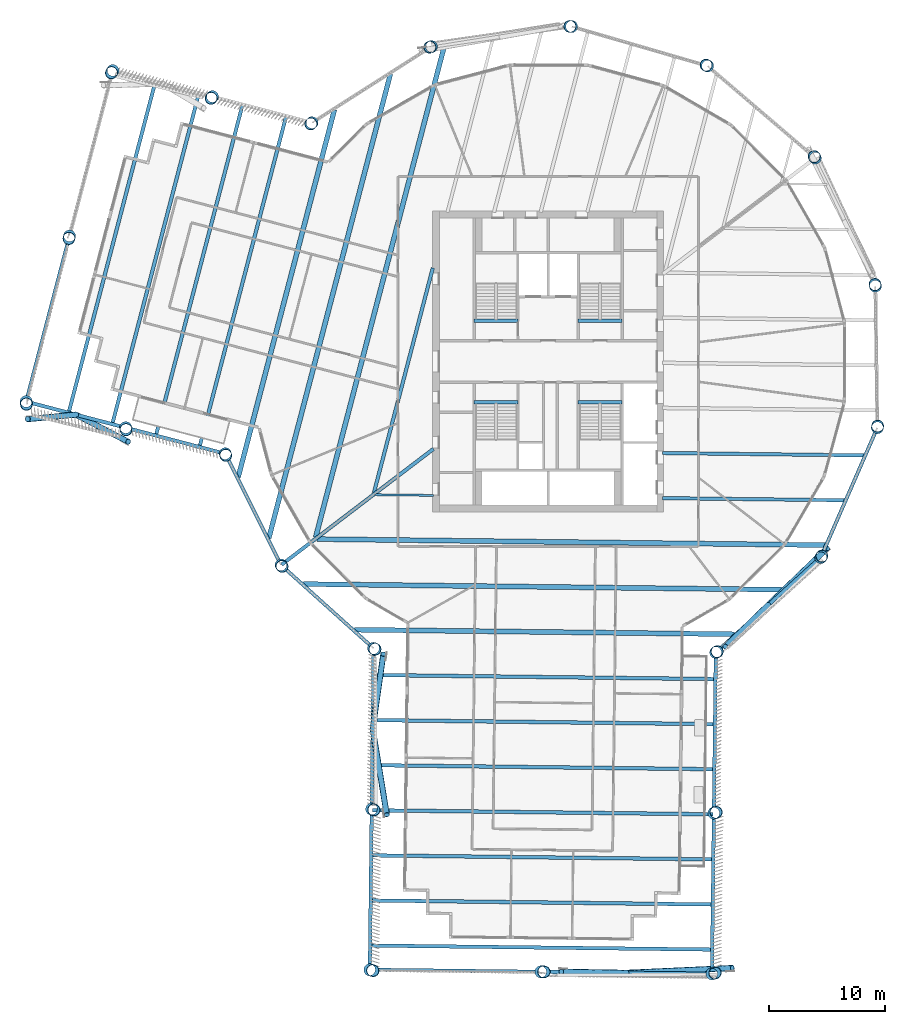
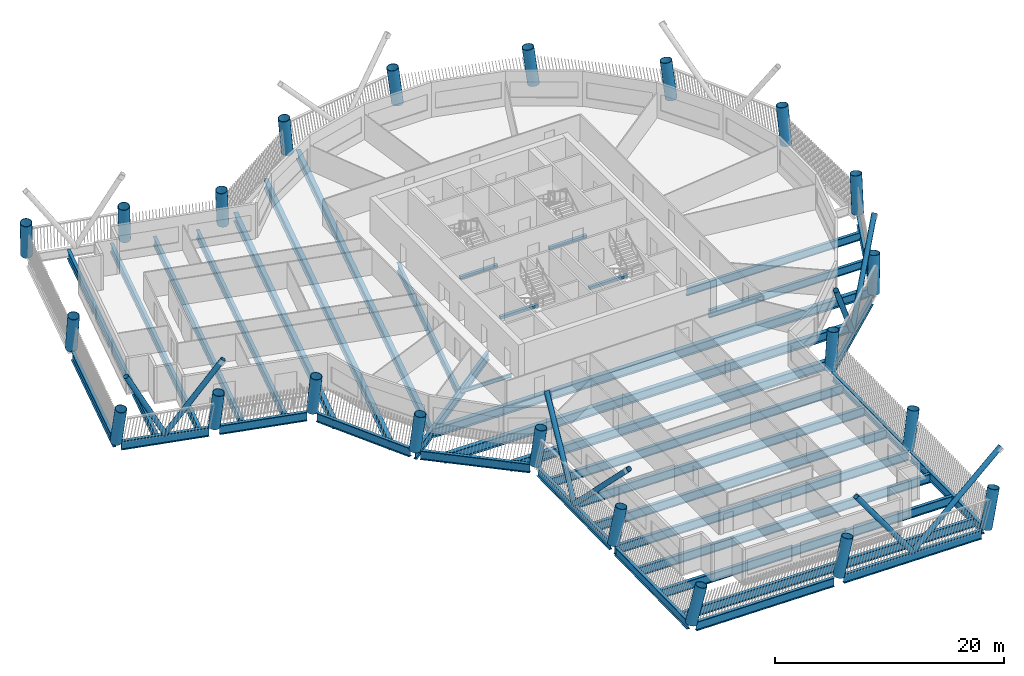
# One storey, part 1 of 21: 39 beams, 22 columns, 8 members.
"""IFC4 building model written with IfcOpenShell, lengths in metres."""

from ifc_helpers import new_model, si_unit, direction, frame, origin, origin_2d, place, context, subcontext, project, spatial, rectangle, hollow_circle, i_section, extrude, material, material_profile, profile_set, type_object, element, save


model = new_model("IFC4")

# Units and contexts
model_context = context("Model", 3, precision=1e-05, world=origin(), true_north=direction((0.0, 1.0)))
body_context = subcontext(model_context, "Body", "Model", "MODEL_VIEW")
ifc_project = project(units=[si_unit("LENGTHUNIT", "METRE"), si_unit("AREAUNIT", "SQUARE_METRE"), si_unit("VOLUMEUNIT", "CUBIC_METRE"), si_unit("PLANEANGLEUNIT", "RADIAN"), si_unit("MASSUNIT", "GRAM", prefix="KILO")], contexts=[model_context])

# Site, building, storey
site_placement = place(None, origin())
site = spatial("IfcSite", under=ifc_project, at=site_placement, CompositionType="ELEMENT")
building_placement = place(site_placement, origin())
building = spatial("IfcBuilding", under=site, at=building_placement, Name="Tarsis Ring Headquarters", CompositionType="ELEMENT")
storey_placement = place(building_placement, frame((0.0, 0.0, 223.800048828125)))
storey = spatial("IfcBuildingStorey", under=building, at=storey_placement, Name="L52", CompositionType="ELEMENT", Elevation=223.800048828125)

# Columns
ifc_material_1 = material(Name="Structural steel S355", Category="steel")
ifc_material_profile_1 = material_profile(ifc_material_1, hollow_circle(Radius=0.533447265625, WallThickness=0.044921875, at=origin_2d()), Name="CHS 1067x45")
ifc_profile_set_1 = profile_set([ifc_material_profile_1], Name="Structural steel S355")
column_type = type_object("IfcColumnType", Name="XC Exo column CHS 1067x45", PredefinedType="COLUMN", material=ifc_profile_set_1)
for number, where, z_axis, x_axis, name in (
    (1, (-23.10107421875, -17.611328125, 0.0009765625), (0.075886614533, -0.09782598794, 0.992306050479), (0.790135453828, 0.61293226755, 0.0), "Exo column XC5 F1"),
    (2, (-15.095458984375, -24.818115234375, 0.0009765625), (0.106340364409, -0.063456173034, 0.99230289781), (0.512427663537, 0.858730394037, 0.0), "Exo column XC5 AK"),
):
    element("IfcColumn", number, at=place(storey_placement, frame(where, z_axis=z_axis, x_axis=x_axis)), inside=storey, type_object=column_type, Name=name, PredefinedType="COLUMN", context=body_context, shape_type="SweptSolid", body=[
        extrude(hollow_circle(Radius=0.533447265625, WallThickness=0.044921875, at=origin_2d()), origin(), (0.0, 0.0, 1.0), 3.92822265625),
    ])
column_1_placement = place(storey_placement, frame((-15.26025390625, -38.719482421875, 0.001220703125), z_axis=(0.164270911189, -0.06314317307, 0.984392202037), x_axis=(0.358791238353, 0.933417831028, 0.0)))
element("IfcColumn", 3, at=column_1_placement, inside=storey, type_object=column_type, Name="Exo column XC5 AI1", PredefinedType="COLUMN", context=body_context, shape_type="SweptSolid", body=[
    extrude(hollow_circle(Radius=0.533447265625, WallThickness=0.044921875, at=origin_2d()), origin(), (0.0, 0.0, 1.0), 3.959228515625),
])
column_2_placement = place(storey_placement, frame((-15.42529296875, -52.620849609375, 0.001708984375), z_axis=(0.220590195067, -0.062633710349, 0.973353473394), x_axis=(0.273140056008, 0.961974277101, 0.0)))
element("IfcColumn", 4, at=column_2_placement, inside=storey, type_object=column_type, Name="Exo column XC5 AT1", PredefinedType="COLUMN", context=body_context, shape_type="SweptSolid", body=[
    extrude(hollow_circle(Radius=0.533447265625, WallThickness=0.044921875, at=origin_2d()), origin(), (0.0, 0.0, 1.0), 4.003173828125),
])
column_3_placement = place(storey_placement, frame((-0.626220703125, -52.79638671875, 0.001708984375), z_axis=(0.221198453459, -0.000733254542, 0.975228540664), x_axis=(0.003314898914, 0.999994505708, 0.0)))
element("IfcColumn", 5, at=column_3_placement, inside=storey, type_object=column_type, Name="Exo column XC5 AT2", PredefinedType="COLUMN", context=body_context, shape_type="SweptSolid", body=[
    extrude(hollow_circle(Radius=0.533447265625, WallThickness=0.044921875, at=origin_2d()), origin(), (0.0, 0.0, 1.0), 3.995361328125),
])
column_4_placement = place(storey_placement, frame((14.172607421875, -52.971923828125, 0.001708984375), z_axis=(0.221016295998, 0.061169797154, 0.973349912837), x_axis=(-0.266738480606, 0.963768946877, 0.0)))
element("IfcColumn", 6, at=column_4_placement, inside=storey, type_object=column_type, Name="Exo column XC5 AT3", PredefinedType="COLUMN", context=body_context, shape_type="SweptSolid", body=[
    extrude(hollow_circle(Radius=0.533447265625, WallThickness=0.044921875, at=origin_2d()), origin(), (0.0, 0.0, 1.0), 4.003173828125),
])
column_5_placement = place(storey_placement, frame((14.337646484375, -39.070556640625, 0.001220703125), z_axis=(0.164702301906, 0.062033139542, 0.984390695479), x_axis=(-0.35246694476, 0.935824263872, 0.0)))
element("IfcColumn", 7, at=column_5_placement, inside=storey, type_object=column_type, Name="Exo column XC5 AO1", PredefinedType="COLUMN", context=body_context, shape_type="SweptSolid", body=[
    extrude(hollow_circle(Radius=0.533447265625, WallThickness=0.044921875, at=origin_2d()), origin(), (0.0, 0.0, 1.0), 3.959228515625),
])
for number, where, z_axis, x_axis, name in (
    (8, (14.50244140625, -25.16943359375, 0.0009765625), (0.106775078681, 0.062772310517, 0.992299712589), (-0.506800821958, 0.86206318032, 0.0), "Exo column XC5 AJ"),
    (9, (23.587646484375, -16.953857421875, 0.0009765625), (0.071411864303, 0.101120194275, 0.992307942096), (-0.816842620257, 0.576860584312, 0.0), "Exo column XC5 R1"),
    (10, (28.47900390625, -5.72412109375, 0.0009765625), (0.023368719745, 0.121629214206, 0.992300477269), (-0.982038645774, 0.188679882888, 0.0), "Exo column XC5 R2"),
    (11, (28.306640625, 6.5234375, 0.0009765625), (-0.028837999314, 0.120448367822, 0.992300640171), (-0.972514697885, -0.232841496295, 0.0), "Exo column XC5 R3"),
    (12, (23.10107421875, 17.611328125, 0.0009765625), (-0.075886614533, 0.09782598794, 0.992306050479), (-0.790135453828, -0.61293226755, 0.0), "Exo column XC5 R4"),
    (13, (13.7880859375, 25.567626953125, 0.0009765625), (-0.109448354192, 0.057862815305, 0.992306884169), (-0.46738019651, -0.884056418963, 0.0), "Exo column XC5 R5"),
    (14, (2.023681640625, 28.97802734375, 0.0009765625), (-0.123618093944, 0.007582406969, 0.992300898898), (-0.061222296135, -0.998124155832, 0.0), "Exo column XC5 R6"),
    (15, (-10.1005859375, 27.23583984375, 0.0009765625), (-0.11578685358, -0.044002733406, 0.992298928746), (0.35524406722, -0.934773583658, 0.0), "Exo column XC5 R7"),
    (16, (-20.428955078125, 20.651123046875, 0.0009765625), (-0.087322051212, -0.087819258621, 0.992301686579), (0.70911132409, -0.705096539523, 0.0), "Exo column XC5 BJ"),
):
    element("IfcColumn", number, at=place(storey_placement, frame(where, z_axis=z_axis, x_axis=x_axis)), inside=storey, type_object=column_type, Name=name, PredefinedType="COLUMN", context=body_context, shape_type="SweptSolid", body=[
        extrude(hollow_circle(Radius=0.533447265625, WallThickness=0.044921875, at=origin_2d()), origin(), (0.0, 0.0, 1.0), 3.92822265625),
    ])
column_6_placement = place(storey_placement, frame((-29.040771484375, 22.906982421875, 0.001220703125), z_axis=(-0.096138588438, -0.123977948025, 0.987616747639), x_axis=(0.79024318369, -0.612793366993, 0.0)))
element("IfcColumn", 17, at=column_6_placement, inside=storey, type_object=column_type, Name="Exo column XC5 BO1", PredefinedType="COLUMN", context=body_context, shape_type="SweptSolid", body=[
    extrude(hollow_circle(Radius=0.533447265625, WallThickness=0.044921875, at=origin_2d()), origin(), (0.0, 0.0, 1.0), 3.9462890625),
])
column_7_placement = place(storey_placement, frame((-37.65234375, 25.1630859375, 0.00146484375), z_axis=(-0.104787958455, -0.159703244194, 0.981587671865), x_axis=(0.836089442557, -0.548593149834, 0.0)))
element("IfcColumn", 18, at=column_7_placement, inside=storey, type_object=column_type, Name="Exo column XC5 BT3", PredefinedType="COLUMN", context=body_context, shape_type="SweptSolid", body=[
    extrude(hollow_circle(Radius=0.533447265625, WallThickness=0.044921875, at=origin_2d()), origin(), (0.0, 0.0, 1.0), 3.969970703125),
])
column_8_placement = place(storey_placement, frame((-41.40283203125, 10.84619140625, 0.00146484375), z_axis=(-0.044363078564, -0.175357391101, 0.983504805604), x_axis=(0.969457395595, -0.24525977682, 0.0)))
element("IfcColumn", 19, at=column_8_placement, inside=storey, type_object=column_type, Name="Exo column XC5 BT2", PredefinedType="COLUMN", context=body_context, shape_type="SweptSolid", body=[
    extrude(hollow_circle(Radius=0.533447265625, WallThickness=0.044921875, at=origin_2d()), origin(), (0.0, 0.0, 1.0), 3.96240234375),
])
column_9_placement = place(storey_placement, frame((-45.153564453125, -3.470703125, 0.00146484375), z_axis=(0.016234732762, -0.19032764355, 0.981586380077), x_axis=(0.996381783859, 0.084990239399, 0.0)))
element("IfcColumn", 20, at=column_9_placement, inside=storey, type_object=column_type, Name="Exo column XC5 BT1", PredefinedType="COLUMN", context=body_context, shape_type="SweptSolid", body=[
    extrude(hollow_circle(Radius=0.533447265625, WallThickness=0.044921875, at=origin_2d()), origin(), (0.0, 0.0, 1.0), 3.969970703125),
])
column_10_placement = place(storey_placement, frame((-36.541748046875, -5.726806640625, 0.001220703125), z_axis=(0.025612187881, -0.154786700675, 0.98761586314), x_axis=(0.986585082973, 0.163247891427, 0.0)))
element("IfcColumn", 21, at=column_10_placement, inside=storey, type_object=column_type, Name="Exo column XC5 BI1", PredefinedType="COLUMN", context=body_context, shape_type="SweptSolid", body=[
    extrude(hollow_circle(Radius=0.533447265625, WallThickness=0.044921875, at=origin_2d()), origin(), (0.0, 0.0, 1.0), 3.9462890625),
])
column_11_placement = place(storey_placement, frame((-27.93017578125, -7.982666015625, 0.0009765625), z_axis=(0.0350531614, -0.118770552191, 0.992302792402), x_axis=(0.95910135339, 0.283062879807, 0.0)))
element("IfcColumn", 22, at=column_11_placement, inside=storey, type_object=column_type, Name="Exo column XC5 BK", PredefinedType="COLUMN", context=body_context, shape_type="SweptSolid", body=[
    extrude(hollow_circle(Radius=0.533447265625, WallThickness=0.044921875, at=origin_2d()), origin(), (0.0, 0.0, 1.0), 3.92822265625),
])

# Beams
ifc_material_profile_2 = material_profile(ifc_material_1, i_section(OverallWidth=0.177734375, OverallDepth=0.406494140625, WebThickness=0.0078125, FlangeThickness=0.0126953125, at=origin_2d()), Name="W16x40")
ifc_profile_set_2 = profile_set([ifc_material_profile_2], Name="Structural steel S355")
beam_type_1 = type_object("IfcBeamType", Name="FB Floor beam W16x40", PredefinedType="JOIST", material=ifc_profile_set_2)
beam_1_placement = place(storey_placement, frame((-14.96142578125, -11.523193359375, -0.36328125), z_axis=(0.999929609839, -0.011864879607, 0.0), x_axis=(0.011864879607, 0.999929609839, 0.0)))
element("IfcBeam", 23, at=beam_1_placement, inside=storey, type_object=beam_type_1, Name="Floor beam FB1", PredefinedType="JOIST", context=body_context, shape_type="SweptSolid", body=[
    extrude(i_section(OverallWidth=0.177734375, OverallDepth=0.406494140625, WebThickness=0.0078125, FlangeThickness=0.0126953125, at=origin_2d()), origin(), (0.0, 0.0, 1.0), 5.061767578125),
])
ifc_material_profile_3 = material_profile(ifc_material_1, i_section(OverallWidth=0.2919921875, OverallDepth=0.835693359375, WebThickness=0.013916015625, FlangeThickness=0.018798828125, at=origin_2d()), Name="W33x118")
ifc_profile_set_3 = profile_set([ifc_material_profile_3], Name="Structural steel S355")
beam_type_2 = type_object("IfcBeamType", Name="FB Floor beam W33x118", PredefinedType="JOIST", material=ifc_profile_set_3)
beam_2_placement = place(storey_placement, frame((9.89990234375, -7.91796875, -0.577880859375), z_axis=(0.999929578975, -0.01186748043, 0.0), x_axis=(0.01186748043, 0.999929578975, 0.0)))
element("IfcBeam", 24, at=beam_2_placement, inside=storey, type_object=beam_type_2, Name="Floor beam FB7", PredefinedType="JOIST", context=body_context, shape_type="SweptSolid", body=[
    extrude(i_section(OverallWidth=0.2919921875, OverallDepth=0.835693359375, WebThickness=0.013916015625, FlangeThickness=0.018798828125, at=origin_2d()), origin(), (0.0, 0.0, 1.0), 17.4658203125),
])
beam_3_placement = place(storey_placement, frame((9.89990234375, -11.818359375, -0.577880859375), z_axis=(0.999929550969, -0.011869839902, 0.0), x_axis=(0.011869839902, 0.999929550969, 0.0)))
element("IfcBeam", 25, at=beam_3_placement, inside=storey, type_object=beam_type_2, Name="Floor beam FB7", PredefinedType="JOIST", context=body_context, shape_type="SweptSolid", body=[
    extrude(i_section(OverallWidth=0.2919921875, OverallDepth=0.835693359375, WebThickness=0.013916015625, FlangeThickness=0.018798828125, at=origin_2d()), origin(), (0.0, 0.0, 1.0), 15.77587890625),
])
ifc_material_profile_4 = material_profile(ifc_material_1, i_section(OverallWidth=0.3046875, OverallDepth=0.904296875, WebThickness=0.01513671875, FlangeThickness=0.02001953125, at=origin_2d()), Name="W36x135")
ifc_profile_set_4 = profile_set([ifc_material_profile_4], Name="Structural steel S355")
beam_type_3 = type_object("IfcBeamType", Name="FB Floor beam W36x135", PredefinedType="JOIST", material=ifc_profile_set_4)
beam_4_placement = place(storey_placement, frame((-9.974609375, 8.093017578125, -0.612060546875), z_axis=(-0.253424263513, -0.967355230855, 0.0), x_axis=(0.967355230855, -0.253424263513, 0.0)))
element("IfcBeam", 26, at=beam_4_placement, inside=storey, type_object=beam_type_3, Name="Floor beam FB8", PredefinedType="JOIST", context=body_context, shape_type="SweptSolid", body=[
    extrude(i_section(OverallWidth=0.3046875, OverallDepth=0.904296875, WebThickness=0.01513671875, FlangeThickness=0.02001953125, at=origin_2d()), origin(), (0.0, 0.0, 1.0), 20.124755859375),
])
ifc_material_profile_5 = material_profile(ifc_material_1, i_section(OverallWidth=0.309814453125, OverallDepth=0.949951171875, WebThickness=0.0244140625, FlangeThickness=0.0439453125, at=origin_2d()), Name="W36x256")
ifc_profile_set_5 = profile_set([ifc_material_profile_5], Name="Structural steel S355")
beam_type_4 = type_object("IfcBeamType", Name="FB Floor beam W36x256", PredefinedType="JOIST", material=ifc_profile_set_5)
for number, where, z_axis, x_axis, name in (
    (27, (-15.068115234375, -27.123046875, -0.635009765625), (0.999929528945, -0.011871695061, 0.0), (0.011871695061, 0.999929528945, 0.0), "Floor beam FB11"),
    (28, (-15.1142578125, -31.022705078125, -0.635009765625), (0.999929528945, -0.011871695061, 0.0), (0.011871695061, 0.999929528945, 0.0), "Floor beam FB11"),
    (29, (-15.16064453125, -34.922607421875, -0.635009765625), (0.999929627186, -0.011863417499, 0.0), (0.011863417499, 0.999929627186, 0.0), "Floor beam FB11"),
    (30, (-15.206787109375, -38.822265625, -0.635009765625), (0.999929528945, -0.011871695061, 0.0), (0.011871695061, 0.999929528945, 0.0), "Floor beam FB11"),
    (31, (-15.253173828125, -42.721923828125, -0.635009765625), (0.999929528945, -0.011871695061, 0.0), (0.011871695061, 0.999929528945, 0.0), "Floor beam FB11"),
):
    element("IfcBeam", number, at=place(storey_placement, frame(where, z_axis=z_axis, x_axis=x_axis)), inside=storey, type_object=beam_type_4, Name=name, PredefinedType="JOIST", context=body_context, shape_type="SweptSolid", body=[
        extrude(i_section(OverallWidth=0.309814453125, OverallDepth=0.949951171875, WebThickness=0.0244140625, FlangeThickness=0.0439453125, at=origin_2d()), origin(), (0.0, 0.0, 1.0), 29.490234375),
    ])
beam_5_placement = place(storey_placement, frame((-15.29931640625, -46.621826171875, -0.635009765625), z_axis=(0.999929626021, -0.011863515707, 0.0), x_axis=(0.011863515707, 0.999929626021, 0.0)))
element("IfcBeam", 32, at=beam_5_placement, inside=storey, type_object=beam_type_4, Name="Floor beam FB11", PredefinedType="JOIST", context=body_context, shape_type="SweptSolid", body=[
    extrude(i_section(OverallWidth=0.309814453125, OverallDepth=0.949951171875, WebThickness=0.0244140625, FlangeThickness=0.0439453125, at=origin_2d()), origin(), (0.0, 0.0, 1.0), 29.489990234375),
])
for number, where, z_axis, x_axis, name in (
    (33, (-15.345703125, -50.521484375, -0.635009765625), (0.999929627186, -0.011863417499, 0.0), (0.011863417499, 0.999929627186, 0.0), "Floor beam FB11"),
    (34, (-22.672119140625, 21.18212890625, -0.635009765625), (-0.253418971572, -0.967356617203, 0.0), (0.967356617203, -0.253418971572, 0.0), "Floor beam FB11"),
):
    element("IfcBeam", number, at=place(storey_placement, frame(where, z_axis=z_axis, x_axis=x_axis)), inside=storey, type_object=beam_type_4, Name=name, PredefinedType="JOIST", context=body_context, shape_type="SweptSolid", body=[
        extrude(i_section(OverallWidth=0.309814453125, OverallDepth=0.949951171875, WebThickness=0.0244140625, FlangeThickness=0.0439453125, at=origin_2d()), origin(), (0.0, 0.0, 1.0), 29.490234375),
    ])
for number, where, z_axis, x_axis, name in (
    (35, (-26.44482421875, 22.17041015625, -0.635009765625), (-0.25342100108, -0.96735608553, 0.0), (0.96735608553, -0.25342100108, 0.0), "Floor beam FB11"),
    (36, (-30.217529296875, 23.15869140625, -0.635009765625), (-0.25342100108, -0.96735608553, 0.0), (0.96735608553, -0.25342100108, 0.0), "Floor beam FB11"),
):
    element("IfcBeam", number, at=place(storey_placement, frame(where, z_axis=z_axis, x_axis=x_axis)), inside=storey, type_object=beam_type_4, Name=name, PredefinedType="JOIST", context=body_context, shape_type="SweptSolid", body=[
        extrude(i_section(OverallWidth=0.309814453125, OverallDepth=0.949951171875, WebThickness=0.0244140625, FlangeThickness=0.0439453125, at=origin_2d()), origin(), (0.0, 0.0, 1.0), 29.489990234375),
    ])
beam_6_placement = place(storey_placement, frame((-33.990234375, 24.147216796875, -0.635009765625), z_axis=(-0.253418971572, -0.967356617203, 0.0), x_axis=(0.967356617203, -0.253418971572, 0.0)))
element("IfcBeam", 37, at=beam_6_placement, inside=storey, type_object=beam_type_4, Name="Floor beam FB11", PredefinedType="JOIST", context=body_context, shape_type="SweptSolid", body=[
    extrude(i_section(OverallWidth=0.309814453125, OverallDepth=0.949951171875, WebThickness=0.0244140625, FlangeThickness=0.0439453125, at=origin_2d()), origin(), (0.0, 0.0, 1.0), 29.490234375),
])
beam_type_5 = type_object("IfcBeamType", Name="FB Floor beam W36x256 spine", PredefinedType="BEAM", material=ifc_profile_set_5)
beam_7_placement = place(storey_placement, frame((-9.92041015625, -7.562744140625, -0.635009765625), z_axis=(-0.795262369154, -0.606265423893, 0.0), x_axis=(0.606265423893, -0.795262369154, 0.0)))
element("IfcBeam", 38, at=beam_7_placement, inside=storey, type_object=beam_type_5, Name="Floor beam SB11", PredefinedType="BEAM", context=body_context, shape_type="SweptSolid", body=[
    extrude(i_section(OverallWidth=0.309814453125, OverallDepth=0.949951171875, WebThickness=0.0244140625, FlangeThickness=0.0439453125, at=origin_2d()), origin(), (0.0, 0.0, 1.0), 16.5166015625),
])
ifc_material_profile_6 = material_profile(ifc_material_1, i_section(OverallWidth=0.42431640625, OverallDepth=0.947509765625, WebThickness=0.02392578125, FlangeThickness=0.042724609375, at=origin_2d()), Name="W36x302")
ifc_profile_set_6 = profile_set([ifc_material_profile_6], Name="Structural steel S355")
beam_type_6 = type_object("IfcBeamType", Name="FB Floor beam W36x302", PredefinedType="JOIST", material=ifc_profile_set_6)
beam_8_placement = place(storey_placement, frame((-19.999267578125, -15.36376953125, -0.6337890625), z_axis=(0.999929589528, -0.011866591153, 0.0), x_axis=(0.011866591153, 0.999929589528, 0.0)))
element("IfcBeam", 39, at=beam_8_placement, inside=storey, type_object=beam_type_6, Name="Floor beam FB12", PredefinedType="JOIST", context=body_context, shape_type="SweptSolid", body=[
    extrude(i_section(OverallWidth=0.42431640625, OverallDepth=0.947509765625, WebThickness=0.02392578125, FlangeThickness=0.042724609375, at=origin_2d()), origin(), (0.0, 0.0, 1.0), 43.98681640625),
])
beam_9_placement = place(storey_placement, frame((-21.1474609375, -19.25048828125, -0.6337890625), z_axis=(0.999929609987, -0.011864867131, 0.0), x_axis=(0.011864867131, 0.999929609987, 0.0)))
element("IfcBeam", 40, at=beam_9_placement, inside=storey, type_object=beam_type_6, Name="Floor beam FB12", PredefinedType="JOIST", context=body_context, shape_type="SweptSolid", body=[
    extrude(i_section(OverallWidth=0.42431640625, OverallDepth=0.947509765625, WebThickness=0.02392578125, FlangeThickness=0.042724609375, at=origin_2d()), origin(), (0.0, 0.0, 1.0), 41.52392578125),
])
beam_10_placement = place(storey_placement, frame((-16.757080078125, -23.202880859375, -0.6337890625), z_axis=(0.999929582944, -0.011867145992, 0.0), x_axis=(0.011867145992, 0.999929582944, 0.0)))
element("IfcBeam", 41, at=beam_10_placement, inside=storey, type_object=beam_type_6, Name="Floor beam FB12", PredefinedType="JOIST", context=body_context, shape_type="SweptSolid", body=[
    extrude(i_section(OverallWidth=0.42431640625, OverallDepth=0.947509765625, WebThickness=0.02392578125, FlangeThickness=0.042724609375, at=origin_2d()), origin(), (0.0, 0.0, 1.0), 32.875244140625),
])
beam_11_placement = place(storey_placement, frame((-8.96533203125, 27.335693359375, -0.6337890625), z_axis=(-0.253417267997, -0.967357063488, 0.0), x_axis=(0.967357063488, -0.253417267997, 0.0)))
element("IfcBeam", 42, at=beam_11_placement, inside=storey, type_object=beam_type_6, Name="Floor beam FB12", PredefinedType="JOIST", context=body_context, shape_type="SweptSolid", body=[
    extrude(i_section(OverallWidth=0.42431640625, OverallDepth=0.947509765625, WebThickness=0.02392578125, FlangeThickness=0.042724609375, at=origin_2d()), origin(), (0.0, 0.0, 1.0), 43.986572265625),
])
beam_12_placement = place(storey_placement, frame((-13.641357421875, 24.875244140625, -0.6337890625), z_axis=(-0.253420307827, -0.967356267143, 0.0), x_axis=(0.967356267143, -0.253420307827, 0.0)))
element("IfcBeam", 43, at=beam_12_placement, inside=storey, type_object=beam_type_6, Name="Floor beam FB12", PredefinedType="JOIST", context=body_context, shape_type="SweptSolid", body=[
    extrude(i_section(OverallWidth=0.42431640625, OverallDepth=0.947509765625, WebThickness=0.02392578125, FlangeThickness=0.042724609375, at=origin_2d()), origin(), (0.0, 0.0, 1.0), 41.523681640625),
])
beam_13_placement = place(storey_placement, frame((-18.4814453125, 21.789794921875, -0.6337890625), z_axis=(-0.253420282526, -0.967356273771, 0.0), x_axis=(0.967356273771, -0.253420282526, 0.0)))
element("IfcBeam", 44, at=beam_13_placement, inside=storey, type_object=beam_type_6, Name="Floor beam FB12", PredefinedType="JOIST", context=body_context, shape_type="SweptSolid", body=[
    extrude(i_section(OverallWidth=0.42431640625, OverallDepth=0.947509765625, WebThickness=0.02392578125, FlangeThickness=0.042724609375, at=origin_2d()), origin(), (0.0, 0.0, 1.0), 32.87548828125),
])
ifc_material_2 = material(Name="Concrete C40/50", Category="concrete")
ifc_material_profile_7 = material_profile(ifc_material_2, rectangle(XDim=0.300048828125, YDim=0.300048828125, at=origin_2d()), Name="Stair head beam 300x300 C40/50")
ifc_profile_set_7 = profile_set([ifc_material_profile_7], Name="Concrete C40/50")
beam_type_7 = type_object("IfcBeamType", Name="Stair head beam 300x300 C40/50", PredefinedType="BEAM", material=ifc_profile_set_7)
for number, where, z_axis, x_axis, name in (
    (45, (-6.39990234375, 3.510009765625, -0.31005859375), (1.0, 0.0, 0.0), (0.0, 1.0, 0.0), "Stair head beam L52 Firefighting stair"),
    (46, (2.60009765625, 3.510009765625, -0.31005859375), (1.0, 0.0, 0.0), (0.0, 1.0, 0.0), "Stair head beam L52 Exit stair B"),
    (47, (-6.39990234375, -3.510009765625, -0.31005859375), (1.0, 0.0, 0.0), (0.0, 1.0, 0.0), "Stair head beam L52 Exit stair C"),
    (48, (2.60009765625, -3.510009765625, -0.31005859375), (1.0, 0.0, 0.0), (0.0, 1.0, 0.0), "Stair head beam L52 Exit stair D"),
):
    element("IfcBeam", number, at=place(storey_placement, frame(where, z_axis=z_axis, x_axis=x_axis)), inside=storey, type_object=beam_type_7, Name=name, PredefinedType="BEAM", context=body_context, shape_type="SweptSolid", body=[
        extrude(rectangle(XDim=0.300048828125, YDim=0.300048828125, at=origin_2d()), origin(), (0.0, 0.0, 1.0), 3.7998046875),
    ])

# Members
ifc_material_profile_8 = material_profile(ifc_material_1, hollow_circle(Radius=0.25390625, WallThickness=0.02001953125, at=origin_2d()), Name="CHS 508x20")
ifc_profile_set_8 = profile_set([ifc_material_profile_8], Name="Structural steel S355")
member_type = type_object("IfcMemberType", Name="XD X brace CHS 508x20", PredefinedType="BRACE", material=ifc_profile_set_8)
member_1_placement = place(storey_placement, frame((-15.177978515625, -31.768798828125, 0.0), z_axis=(0.112746243955, -0.685816723461, 0.718987973679), x_axis=(0.986754688578, 0.162219556678, 0.0)))
element("IfcMember", 49, at=member_1_placement, inside=storey, type_object=member_type, Name="X brace XD2", PredefinedType="BRACE", context=body_context, shape_type="SweptSolid", body=[
    extrude(hollow_circle(Radius=0.25390625, WallThickness=0.02001953125, at=origin_2d()), origin(), (0.0, 0.0, 1.0), 10.8486328125),
])
member_2_placement = place(storey_placement, frame((-15.177978515625, -31.768798828125, 0.0), z_axis=(0.090704194266, 0.635145436559, 0.767048253737), x_axis=(-0.989956228207, 0.141374206395, 0.0)))
element("IfcMember", 50, at=member_2_placement, inside=storey, type_object=member_type, Name="X brace XD2", PredefinedType="BRACE", context=body_context, shape_type="SweptSolid", body=[
    extrude(hollow_circle(Radius=0.25390625, WallThickness=0.02001953125, at=origin_2d()), origin(), (0.0, 0.0, 1.0), 10.1689453125),
])
member_3_placement = place(storey_placement, frame((6.77294921875, -52.884033203125, 0.0), z_axis=(0.761125219413, 0.034604894115, 0.64768117286), x_axis=(-0.045418523245, 0.998968046409, 0.0)))
element("IfcMember", 51, at=member_3_placement, inside=storey, type_object=member_type, Name="X brace XD2", PredefinedType="BRACE", context=body_context, shape_type="SweptSolid", body=[
    extrude(hollow_circle(Radius=0.25390625, WallThickness=0.02001953125, at=origin_2d()), origin(), (0.0, 0.0, 1.0), 12.04296875),
])
member_4_placement = place(storey_placement, frame((6.77294921875, -52.884033203125, 0.0), z_axis=(-0.58525634818, 0.010024120091, 0.810786361461), x_axis=(-0.017125230866, -0.999853352481, 0.0)))
element("IfcMember", 52, at=member_4_placement, inside=storey, type_object=member_type, Name="X brace XD2", PredefinedType="BRACE", context=body_context, shape_type="SweptSolid", body=[
    extrude(hollow_circle(Radius=0.25390625, WallThickness=0.02001953125, at=origin_2d()), origin(), (0.0, 0.0, 1.0), 9.620361328125),
])
member_5_placement = place(storey_placement, frame((19.044921875, -21.061767578125, 0.0), z_axis=(0.484026359053, 0.465990413493, 0.740656072867), x_axis=(-0.693557473822, 0.72040129824, 0.0)))
element("IfcMember", 53, at=member_5_placement, inside=storey, type_object=member_type, Name="X brace XD2", PredefinedType="BRACE", context=body_context, shape_type="SweptSolid", body=[
    extrude(hollow_circle(Radius=0.25390625, WallThickness=0.02001953125, at=origin_2d()), origin(), (0.0, 0.0, 1.0), 10.53125),
])
member_6_placement = place(storey_placement, frame((19.044921875, -21.061767578125, 0.0), z_axis=(-0.396120335905, -0.38545174527, 0.833376044503), x_axis=(0.697389686174, -0.716692141452, 0.0)))
element("IfcMember", 54, at=member_6_placement, inside=storey, type_object=member_type, Name="X brace XD2", PredefinedType="BRACE", context=body_context, shape_type="SweptSolid", body=[
    extrude(hollow_circle(Radius=0.25390625, WallThickness=0.02001953125, at=origin_2d()), origin(), (0.0, 0.0, 1.0), 9.359619140625),
])
member_7_placement = place(storey_placement, frame((-40.84765625, -4.598388671875, 0.0), z_axis=(0.485043415113, -0.252179593679, 0.837340037253), x_axis=(0.461290846608, 0.88724898131, 0.0)))
element("IfcMember", 55, at=member_7_placement, inside=storey, type_object=member_type, Name="X brace XD2", PredefinedType="BRACE", context=body_context, shape_type="SweptSolid", body=[
    extrude(hollow_circle(Radius=0.25390625, WallThickness=0.02001953125, at=origin_2d()), origin(), (0.0, 0.0, 1.0), 9.315185546875),
])
member_8_placement = place(storey_placement, frame((-40.84765625, -4.598388671875, 0.0), z_axis=(-0.470523767688, -0.043281455795, 0.881325195161), x_axis=(0.091598984959, -0.995795976069, 0.0)))
element("IfcMember", 56, at=member_8_placement, inside=storey, type_object=member_type, Name="X brace XD2", PredefinedType="BRACE", context=body_context, shape_type="SweptSolid", body=[
    extrude(hollow_circle(Radius=0.25390625, WallThickness=0.02001953125, at=origin_2d()), origin(), (0.0, 0.0, 1.0), 8.850341796875),
])

# Beams
beam_type_8 = type_object("IfcBeamType", Name="XG Ring girder W36x256", PredefinedType="BEAM", material=ifc_profile_set_5)
beam_14_placement = place(storey_placement, frame((-22.744384765625, -17.932373046875, -0.47509765625), z_axis=(0.743210005068, -0.669058209999, 0.0), x_axis=(0.669058209999, 0.743210005068, 0.0)))
element("IfcBeam", 57, at=beam_14_placement, inside=storey, type_object=beam_type_8, Name="Ring girder XG2", PredefinedType="BEAM", context=body_context, shape_type="SweptSolid", body=[
    extrude(i_section(OverallWidth=0.309814453125, OverallDepth=0.949951171875, WebThickness=0.0244140625, FlangeThickness=0.0439453125, at=origin_2d()), origin(), (0.0, 0.0, 1.0), 9.8115234375),
])
for number, where, z_axis, x_axis, name in (
    (58, (-15.101318359375, -25.298095703125, -0.47509765625), (-0.011865521908, -0.999929602217, 0.0), (0.999929602217, -0.011865521908, 0.0), "Ring girder XG2"),
    (59, (-15.266357421875, -39.199462890625, -0.47509765625), (-0.011865521908, -0.999929602217, 0.0), (0.999929602217, -0.011865521908, 0.0), "Ring girder XG2"),
):
    element("IfcBeam", number, at=place(storey_placement, frame(where, z_axis=z_axis, x_axis=x_axis)), inside=storey, type_object=beam_type_8, Name=name, PredefinedType="BEAM", context=body_context, shape_type="SweptSolid", body=[
        extrude(i_section(OverallWidth=0.309814453125, OverallDepth=0.949951171875, WebThickness=0.0244140625, FlangeThickness=0.0439453125, at=origin_2d()), origin(), (0.0, 0.0, 1.0), 12.942138671875),
    ])
for number, where, z_axis, x_axis, name in (
    (60, (-14.945556640625, -52.626220703125, -0.47509765625), (0.999929525299, -0.011872002162, 0.0), (0.011872002162, 0.999929525299, 0.0), "Ring girder XG2"),
    (61, (-0.146484375, -52.802001953125, -0.47509765625), (0.999929525299, -0.011872002162, 0.0), (0.011872002162, 0.999929525299, 0.0), "Ring girder XG2"),
):
    element("IfcBeam", number, at=place(storey_placement, frame(where, z_axis=z_axis, x_axis=x_axis)), inside=storey, type_object=beam_type_8, Name=name, PredefinedType="BEAM", context=body_context, shape_type="SweptSolid", body=[
        extrude(i_section(OverallWidth=0.309814453125, OverallDepth=0.949951171875, WebThickness=0.0244140625, FlangeThickness=0.0439453125, at=origin_2d()), origin(), (0.0, 0.0, 1.0), 13.83984375),
    ])
for number, where, z_axis, x_axis, name in (
    (62, (14.177978515625, -52.491943359375, -0.47509765625), (0.011865521908, 0.999929602217, 0.0), (-0.999929602217, 0.011865521908, 0.0), "Ring girder XG2"),
    (63, (14.343017578125, -38.590576171875, -0.47509765625), (0.011865521908, 0.999929602217, 0.0), (-0.999929602217, 0.011865521908, 0.0), "Ring girder XG2"),
):
    element("IfcBeam", number, at=place(storey_placement, frame(where, z_axis=z_axis, x_axis=x_axis)), inside=storey, type_object=beam_type_8, Name=name, PredefinedType="BEAM", context=body_context, shape_type="SweptSolid", body=[
        extrude(i_section(OverallWidth=0.309814453125, OverallDepth=0.949951171875, WebThickness=0.0244140625, FlangeThickness=0.0439453125, at=origin_2d()), origin(), (0.0, 0.0, 1.0), 12.942138671875),
    ])
beam_15_placement = place(storey_placement, frame((14.8583984375, -24.847412109375, -0.47509765625), z_axis=(0.741726348986, 0.670702633974, 0.0), x_axis=(-0.670702633974, 0.741726348986, 0.0)))
element("IfcBeam", 64, at=beam_15_placement, inside=storey, type_object=beam_type_8, Name="Ring girder XG2", PredefinedType="BEAM", context=body_context, shape_type="SweptSolid", body=[
    extrude(i_section(OverallWidth=0.309814453125, OverallDepth=0.949951171875, WebThickness=0.0244140625, FlangeThickness=0.0439453125, at=origin_2d()), origin(), (0.0, 0.0, 1.0), 11.28857421875),
])
beam_16_placement = place(storey_placement, frame((23.779296875, -16.513916015625, -0.47509765625), z_axis=(0.399320718193, 0.916811302298, 0.0), x_axis=(-0.916811302298, 0.399320718193, 0.0)))
element("IfcBeam", 65, at=beam_16_placement, inside=storey, type_object=beam_type_8, Name="Ring girder XG2", PredefinedType="BEAM", context=body_context, shape_type="SweptSolid", body=[
    extrude(i_section(OverallWidth=0.309814453125, OverallDepth=0.949951171875, WebThickness=0.0244140625, FlangeThickness=0.0439453125, at=origin_2d()), origin(), (0.0, 0.0, 1.0), 11.288818359375),
])
beam_17_placement = place(storey_placement, frame((-41.5244140625, 10.382080078125, -0.47509765625), z_axis=(-0.253419920348, -0.967356368652, 0.0), x_axis=(0.967356368652, -0.253419920348, 0.0)))
element("IfcBeam", 66, at=beam_17_placement, inside=storey, type_object=beam_type_8, Name="Ring girder XG2", PredefinedType="BEAM", context=body_context, shape_type="SweptSolid", body=[
    extrude(i_section(OverallWidth=0.309814453125, OverallDepth=0.949951171875, WebThickness=0.0244140625, FlangeThickness=0.0439453125, at=origin_2d()), origin(), (0.0, 0.0, 1.0), 13.840087890625),
])
for number, where, z_axis, x_axis, name in (
    (67, (-44.68896484375, -3.592041015625, -0.47509765625), (0.967356256242, -0.253420349438, 0.0), (0.253420349438, 0.967356256242, 0.0), "Ring girder XG2"),
    (68, (-36.077392578125, -5.84814453125, -0.47509765625), (0.967356256242, -0.253420349438, 0.0), (0.253420349438, 0.967356256242, 0.0), "Ring girder XG2"),
):
    element("IfcBeam", number, at=place(storey_placement, frame(where, z_axis=z_axis, x_axis=x_axis)), inside=storey, type_object=beam_type_8, Name=name, PredefinedType="BEAM", context=body_context, shape_type="SweptSolid", body=[
        extrude(i_section(OverallWidth=0.309814453125, OverallDepth=0.949951171875, WebThickness=0.0244140625, FlangeThickness=0.0439453125, at=origin_2d()), origin(), (0.0, 0.0, 1.0), 7.942138671875),
    ])
beam_18_placement = place(storey_placement, frame((-27.715087890625, -8.41162109375, -0.47509765625), z_axis=(0.448308090681, -0.893879105824, 0.0), x_axis=(0.893879105824, 0.448308090681, 0.0)))
element("IfcBeam", 69, at=beam_18_placement, inside=storey, type_object=beam_type_8, Name="Ring girder XG2", PredefinedType="BEAM", context=body_context, shape_type="SweptSolid", body=[
    extrude(i_section(OverallWidth=0.309814453125, OverallDepth=0.949951171875, WebThickness=0.0244140625, FlangeThickness=0.0439453125, at=origin_2d()), origin(), (0.0, 0.0, 1.0), 9.811767578125),
])

save(model, "model.ifc")
